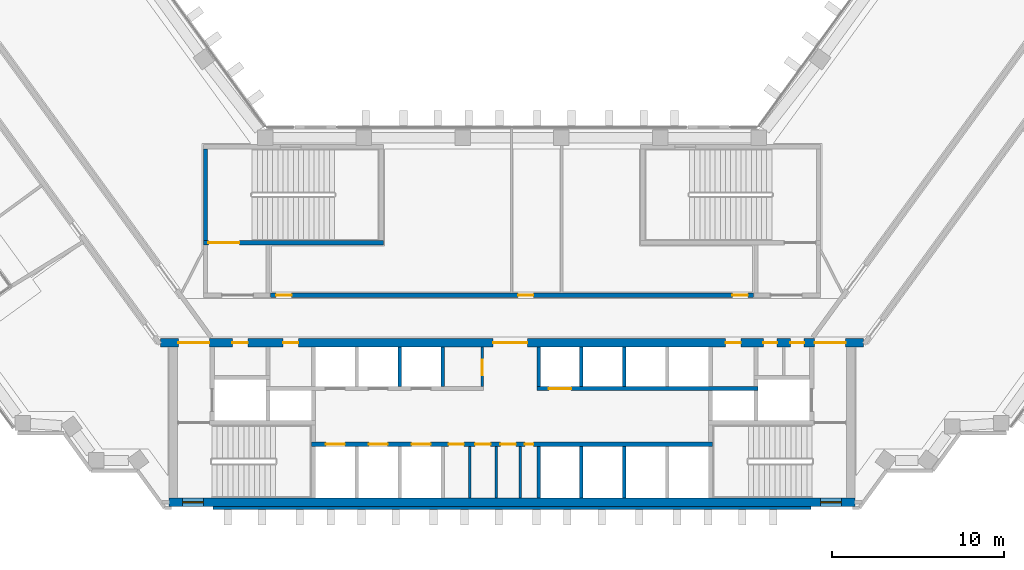
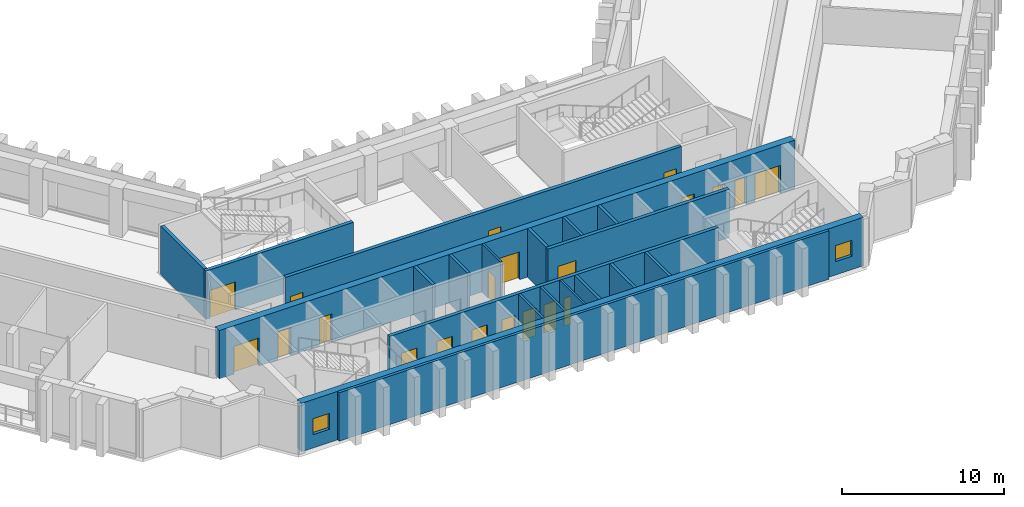
# One storey, part 9 of 16: 21 doors, 20 walls, 2 windows, 23 openings.
"""IFC4 building model written with IfcOpenShell, lengths in metres."""

from ifc_helpers import new_model, si_unit, direction, frame, frame_2d, origin, place, context, subcontext, project, spatial, rectangle, extrude, material, layer, layer_set, type_object, element, fill, save


model = new_model("IFC4")

# Units and contexts
model_context = context("Model", 3, precision=1e-05, world=origin(), true_north=direction((0.0, 1.0)))
body_context = subcontext(model_context, "Body", "Model", "MODEL_VIEW")
ifc_project = project(units=[si_unit("LENGTHUNIT", "METRE"), si_unit("AREAUNIT", "SQUARE_METRE"), si_unit("VOLUMEUNIT", "CUBIC_METRE"), si_unit("PLANEANGLEUNIT", "RADIAN"), si_unit("MASSUNIT", "GRAM", prefix="KILO")], contexts=[model_context])

# Site, building, storey
site_placement = place(None, origin())
site = spatial("IfcSite", under=ifc_project, at=site_placement, CompositionType="ELEMENT")
building_placement = place(site_placement, origin())
building = spatial("IfcBuilding", under=site, at=building_placement, Name="Quipu Civic Tower", CompositionType="ELEMENT")
storey_placement = place(building_placement, frame((0.0, 0.0, 55.0)))
storey = spatial("IfcBuildingStorey", under=building, at=storey_placement, Name="L12", CompositionType="ELEMENT", Elevation=55.0)

# Wall, openings, doors
ifc_material_1 = material(Name="Concrete C70/85", Category="concrete")
ifc_layer_1 = layer(ifc_material_1, 0.25)
ifc_layer_set_1 = layer_set([ifc_layer_1], Name="Concrete C70/85")
wall_type_1 = type_object("IfcWallType", Name="Core wall 250", PredefinedType="SHEAR", material=ifc_layer_set_1)
wall_1_placement = place(storey_placement, frame((11.699951171875, -7.375, 0.0), z_axis=(0.0, 0.0, 1.0), x_axis=(-1.0, 0.0, 0.0)))
wall_1 = element("IfcWall", 1, at=wall_1_placement, inside=storey, type_object=wall_type_1, Name="Core wall", PredefinedType="SHEAR", context=body_context, shape_type="SweptSolid", body=[
    extrude(rectangle(XDim=23.39990234375, YDim=0.25, at=frame_2d((11.699951171875, 0.0))), origin(), (0.0, 0.0, 1.0), 3.64990234375),
])
opening_1_placement = place(wall_1_placement, frame((21.449951171875, 0.0, 0.0)))
opening_1 = element("IfcOpeningElement", 2, at=opening_1_placement, cuts=wall_1, Name="Opening LD-LL1", PredefinedType="OPENING", context=body_context, shape_type="SweptSolid", body=[
    extrude(rectangle(XDim=1.10009765625, YDim=2.10009765625, at=frame_2d((0.550048828125, 1.050048828125))), frame((0.0, 0.135009765625, 0.0), z_axis=(0.0, -1.0, 0.0), x_axis=(1.0, 0.0, 0.0)), (0.0, 0.0, 1.0), 0.27001953125),
])
opening_2_placement = place(wall_1_placement, frame((18.949951171875, 0.0, 0.0)))
opening_2 = element("IfcOpeningElement", 3, at=opening_2_placement, cuts=wall_1, Name="Opening LD-LL2", PredefinedType="OPENING", context=body_context, shape_type="SweptSolid", body=[
    extrude(rectangle(XDim=1.10009765625, YDim=2.10009765625, at=frame_2d((0.550048828125, 1.050048828125))), frame((0.0, 0.135009765625, 0.0), z_axis=(0.0, -1.0, 0.0), x_axis=(1.0, 0.0, 0.0)), (0.0, 0.0, 1.0), 0.27001953125),
])
opening_3_placement = place(wall_1_placement, frame((16.449951171875, 0.0, 0.0)))
opening_3 = element("IfcOpeningElement", 4, at=opening_3_placement, cuts=wall_1, Name="Opening LD-LL3", PredefinedType="OPENING", context=body_context, shape_type="SweptSolid", body=[
    extrude(rectangle(XDim=1.10009765625, YDim=2.10009765625, at=frame_2d((0.550048828125, 1.050048828125))), frame((0.0, 0.135009765625, 0.0), z_axis=(0.0, -1.0, 0.0), x_axis=(1.0, 0.0, 0.0)), (0.0, 0.0, 1.0), 0.27001953125),
])
opening_4_placement = place(wall_1_placement, frame((14.5, 0.0, 0.0)))
opening_4 = element("IfcOpeningElement", 5, at=opening_4_placement, cuts=wall_1, Name="Opening CD-01", PredefinedType="OPENING", context=body_context, shape_type="SweptSolid", body=[
    extrude(rectangle(XDim=0.89990234375, YDim=2.10009765625, at=frame_2d((0.449951171875, 1.050048828125))), frame((0.0, 0.135009765625, 0.0), z_axis=(0.0, -1.0, 0.0), x_axis=(1.0, 0.0, 0.0)), (0.0, 0.0, 1.0), 0.27001953125),
])
opening_5_placement = place(wall_1_placement, frame((12.949951171875, 0.0, 0.0)))
opening_5 = element("IfcOpeningElement", 6, at=opening_5_placement, cuts=wall_1, Name="Opening CD-02", PredefinedType="OPENING", context=body_context, shape_type="SweptSolid", body=[
    extrude(rectangle(XDim=0.89990234375, YDim=2.10009765625, at=frame_2d((0.449951171875, 1.050048828125))), frame((0.0, 0.135009765625, 0.0), z_axis=(0.0, -1.0, 0.0), x_axis=(1.0, 0.0, 0.0)), (0.0, 0.0, 1.0), 0.27001953125),
])
opening_6_placement = place(wall_1_placement, frame((11.47509765625, 0.0, 0.0)))
opening_6 = element("IfcOpeningElement", 7, at=opening_6_placement, cuts=wall_1, Name="Opening CD-03", PredefinedType="OPENING", context=body_context, shape_type="SweptSolid", body=[
    extrude(rectangle(XDim=0.89990234375, YDim=2.10009765625, at=frame_2d((0.449951171875, 1.050048828125))), frame((0.0, 0.135009765625, 0.0), z_axis=(0.0, -1.0, 0.0), x_axis=(1.0, 0.0, 0.0)), (0.0, 0.0, 1.0), 0.27001953125),
])
opening_7_placement = place(wall_1_placement, frame((10.449951171875, 0.0, 0.0)))
opening_7 = element("IfcOpeningElement", 8, at=opening_7_placement, cuts=wall_1, Name="Opening CD-04", PredefinedType="OPENING", context=body_context, shape_type="SweptSolid", body=[
    extrude(rectangle(XDim=0.5, YDim=2.10009765625, at=frame_2d((0.25, 1.050048828125))), frame((0.0, 0.135009765625, 0.0), z_axis=(0.0, -1.0, 0.0), x_axis=(1.0, 0.0, 0.0)), (0.0, 0.0, 1.0), 0.27001953125),
])
ifc_material_2 = material(Name="Fire rated steel door", Category="steel")
door_type_1 = type_object("IfcDoorType", Name="Fire door FD60 500 x 2100", OperationType="NOTDEFINED", PredefinedType="DOOR", material=ifc_material_2)
door_1_placement = place(opening_7_placement, origin())
door_1 = element("IfcDoor", 9, at=door_1_placement, inside=storey, type_object=door_type_1, Name="Door", OperationType="SINGLE_SWING_LEFT", OverallHeight=2.10009765625, OverallWidth=0.5, PredefinedType="DOOR", context=body_context, shape_type="SweptSolid", body=[
    extrude(rectangle(XDim=0.5, YDim=2.10009765625, at=frame_2d((0.25, 1.050048828125))), frame((0.0, 0.02490234375, 0.0), z_axis=(0.0, -1.0, 0.0), x_axis=(1.0, 0.0, 0.0)), (0.0, 0.0, 1.0), 0.050048828125),
])
fill(opening_7, door_1)
ifc_material_3 = material(Name="Fire rated steel door", Category="steel")
door_type_2 = type_object("IfcDoorType", Name="Fire door FD60 900 x 2100", OperationType="NOTDEFINED", PredefinedType="DOOR", material=ifc_material_3)
door_2_placement = place(opening_4_placement, origin())
door_2 = element("IfcDoor", 10, at=door_2_placement, inside=storey, type_object=door_type_2, Name="WC door", OperationType="SINGLE_SWING_RIGHT", OverallHeight=2.10009765625, OverallWidth=0.89990234375, PredefinedType="DOOR", context=body_context, shape_type="SweptSolid", body=[
    extrude(rectangle(XDim=0.89990234375, YDim=2.10009765625, at=frame_2d((0.449951171875, 1.050048828125))), frame((0.0, 0.02490234375, 0.0), z_axis=(0.0, -1.0, 0.0), x_axis=(1.0, 0.0, 0.0)), (0.0, 0.0, 1.0), 0.050048828125),
])
fill(opening_4, door_2)
door_3_placement = place(opening_5_placement, origin())
door_3 = element("IfcDoor", 11, at=door_3_placement, inside=storey, type_object=door_type_2, Name="WC door", OperationType="SINGLE_SWING_RIGHT", OverallHeight=2.10009765625, OverallWidth=0.89990234375, PredefinedType="DOOR", context=body_context, shape_type="SweptSolid", body=[
    extrude(rectangle(XDim=0.89990234375, YDim=2.10009765625, at=frame_2d((0.449951171875, 1.050048828125))), frame((0.0, 0.02490234375, 0.0), z_axis=(0.0, -1.0, 0.0), x_axis=(1.0, 0.0, 0.0)), (0.0, 0.0, 1.0), 0.050048828125),
])
fill(opening_5, door_3)
door_4_placement = place(opening_6_placement, origin())
door_4 = element("IfcDoor", 12, at=door_4_placement, inside=storey, type_object=door_type_2, Name="WC door", OperationType="SINGLE_SWING_RIGHT", OverallHeight=2.10009765625, OverallWidth=0.89990234375, PredefinedType="DOOR", context=body_context, shape_type="SweptSolid", body=[
    extrude(rectangle(XDim=0.89990234375, YDim=2.10009765625, at=frame_2d((0.449951171875, 1.050048828125))), frame((0.0, 0.02490234375, 0.0), z_axis=(0.0, -1.0, 0.0), x_axis=(1.0, 0.0, 0.0)), (0.0, 0.0, 1.0), 0.050048828125),
])
fill(opening_6, door_4)
ifc_material_4 = material(Name="Stainless steel", Category="steel")
door_type_3 = type_object("IfcDoorType", Name="Lift landing door 1100 x 2100", OperationType="DOUBLE_DOOR_SLIDING", PredefinedType="DOOR", material=ifc_material_4)
door_5_placement = place(opening_1_placement, origin())
door_5 = element("IfcDoor", 13, at=door_5_placement, inside=storey, type_object=door_type_3, Name="Landing door LL1", OperationType="DOUBLE_DOOR_SLIDING", OverallHeight=2.10009765625, OverallWidth=1.10009765625, PredefinedType="DOOR", context=body_context, shape_type="SweptSolid", body=[
    extrude(rectangle(XDim=1.10009765625, YDim=2.10009765625, at=frame_2d((0.550048828125, 1.050048828125))), frame((0.0, 0.02490234375, 0.0), z_axis=(0.0, -1.0, 0.0), x_axis=(1.0, 0.0, 0.0)), (0.0, 0.0, 1.0), 0.050048828125),
])
fill(opening_1, door_5)
door_6_placement = place(opening_2_placement, origin())
door_6 = element("IfcDoor", 14, at=door_6_placement, inside=storey, type_object=door_type_3, Name="Landing door LL2", OperationType="DOUBLE_DOOR_SLIDING", OverallHeight=2.10009765625, OverallWidth=1.10009765625, PredefinedType="DOOR", context=body_context, shape_type="SweptSolid", body=[
    extrude(rectangle(XDim=1.10009765625, YDim=2.10009765625, at=frame_2d((0.550048828125, 1.050048828125))), frame((0.0, 0.02490234375, 0.0), z_axis=(0.0, -1.0, 0.0), x_axis=(1.0, 0.0, 0.0)), (0.0, 0.0, 1.0), 0.050048828125),
])
fill(opening_2, door_6)
door_7_placement = place(opening_3_placement, origin())
door_7 = element("IfcDoor", 15, at=door_7_placement, inside=storey, type_object=door_type_3, Name="Landing door LL3", OperationType="DOUBLE_DOOR_SLIDING", OverallHeight=2.10009765625, OverallWidth=1.10009765625, PredefinedType="DOOR", context=body_context, shape_type="SweptSolid", body=[
    extrude(rectangle(XDim=1.10009765625, YDim=2.10009765625, at=frame_2d((0.550048828125, 1.050048828125))), frame((0.0, 0.02490234375, 0.0), z_axis=(0.0, -1.0, 0.0), x_axis=(1.0, 0.0, 0.0)), (0.0, 0.0, 1.0), 0.050048828125),
])
fill(opening_3, door_7)

# Wall, opening, door
wall_2_placement = place(storey_placement, frame((1.449951171875, -4.125, 0.0), z_axis=(0.0, 0.0, 1.0), x_axis=(1.0, 0.0, 0.0)))
wall_2 = element("IfcWall", 16, at=wall_2_placement, inside=storey, type_object=wall_type_1, Name="Core wall", PredefinedType="SHEAR", context=body_context, shape_type="SweptSolid", body=[
    extrude(rectangle(XDim=12.900146484375, YDim=0.25, at=frame_2d((6.4501953125, 0.0))), origin(), (0.0, 0.0, 1.0), 3.64990234375),
])
opening_8_placement = place(wall_2_placement, frame((0.699951171875, 0.0, 0.0)))
opening_8 = element("IfcOpeningElement", 17, at=opening_8_placement, cuts=wall_2, Name="Opening LD-FF3", PredefinedType="OPENING", context=body_context, shape_type="SweptSolid", body=[
    extrude(rectangle(XDim=1.300048828125, YDim=2.10009765625, at=frame_2d((0.64990234375, 1.050048828125))), frame((0.0, 0.135009765625, 0.0), z_axis=(0.0, -1.0, 0.0), x_axis=(1.0, 0.0, 0.0)), (0.0, 0.0, 1.0), 0.27001953125),
])
ifc_material_5 = material(Name="Stainless steel", Category="steel")
door_type_4 = type_object("IfcDoorType", Name="Lift landing door 1300 x 2100", OperationType="DOUBLE_DOOR_SLIDING", PredefinedType="DOOR", material=ifc_material_5)
door_8_placement = place(opening_8_placement, origin())
door_8 = element("IfcDoor", 18, at=door_8_placement, inside=storey, type_object=door_type_4, Name="Landing door FF3", OperationType="DOUBLE_DOOR_SLIDING", OverallHeight=2.10009765625, OverallWidth=1.300048828125, PredefinedType="DOOR", context=body_context, shape_type="SweptSolid", body=[
    extrude(rectangle(XDim=1.300048828125, YDim=2.10009765625, at=frame_2d((0.64990234375, 1.050048828125))), frame((0.0, 0.02490234375, 0.0), z_axis=(0.0, -1.0, 0.0), x_axis=(1.0, 0.0, 0.0)), (0.0, 0.0, 1.0), 0.050048828125),
])
fill(opening_8, door_8)

wall_3_placement = place(storey_placement, frame((-18.0, 4.375, 0.0), z_axis=(0.0, 0.0, 1.0), x_axis=(1.0, 0.0, 0.0)))
wall_3 = element("IfcWall", 19, at=wall_3_placement, inside=storey, type_object=wall_type_1, Name="Core wall", PredefinedType="SHEAR", context=body_context, shape_type="SweptSolid", body=[
    extrude(rectangle(XDim=10.5, YDim=0.25, at=frame_2d((5.25, 0.0))), origin(), (0.0, 0.0, 1.0), 3.64990234375),
])
opening_9_placement = place(wall_3_placement, frame((0.300048828125, 0.0, 0.0)))
opening_9 = element("IfcOpeningElement", 20, at=opening_9_placement, cuts=wall_3, Name="Opening CD-17", PredefinedType="OPENING", context=body_context, shape_type="SweptSolid", body=[
    extrude(rectangle(XDim=1.800048828125, YDim=2.10009765625, at=frame_2d((0.89990234375, 1.050048828125))), frame((0.0, 0.135009765625, 0.0), z_axis=(0.0, -1.0, 0.0), x_axis=(1.0, 0.0, 0.0)), (0.0, 0.0, 1.0), 0.27001953125),
])
ifc_material_6 = material(Name="Fire rated steel door", Category="steel")
door_type_5 = type_object("IfcDoorType", Name="Fire door FD90 double 1800 x 2100", OperationType="NOTDEFINED", PredefinedType="DOOR", material=ifc_material_6)
door_9_placement = place(opening_9_placement, origin())
door_9 = element("IfcDoor", 21, at=door_9_placement, inside=storey, type_object=door_type_5, Name="Door", OperationType="DOUBLE_DOOR_SINGLE_SWING", OverallHeight=2.10009765625, OverallWidth=1.800048828125, PredefinedType="DOOR", context=body_context, shape_type="SweptSolid", body=[
    extrude(rectangle(XDim=1.800048828125, YDim=2.10009765625, at=frame_2d((0.89990234375, 1.050048828125))), frame((0.0, 0.02490234375, 0.0), z_axis=(0.0, -1.0, 0.0), x_axis=(1.0, 0.0, 0.0)), (0.0, 0.0, 1.0), 0.050048828125),
])
fill(opening_9, door_9)

# Wall
wall_4_placement = place(storey_placement, frame((-17.875, 4.5, 0.0), z_axis=(0.0, 0.0, 1.0), x_axis=(0.0, 1.0, 0.0)))
element("IfcWall", 22, at=wall_4_placement, inside=storey, type_object=wall_type_1, Name="Core wall", PredefinedType="SHEAR", context=body_context, shape_type="SweptSolid", body=[
    extrude(rectangle(XDim=5.35009765625, YDim=0.25, at=frame_2d((2.675048828125, 0.0))), origin(), (0.0, 0.0, 1.0), 3.64990234375),
])

# Wall, openings, windows
ifc_material_7 = material(Name="Concrete C70/85", Category="concrete")
ifc_layer_2 = layer(ifc_material_7, 0.5)
ifc_layer_set_2 = layer_set([ifc_layer_2], Name="Concrete C70/85")
wall_type_2 = type_object("IfcWallType", Name="Core wall 500", PredefinedType="SHEAR", material=ifc_layer_set_2)
wall_5_placement = place(storey_placement, frame((-20.0, -10.75, 0.0), z_axis=(0.0, 0.0, 1.0), x_axis=(1.0, 0.0, 0.0)))
wall_5 = element("IfcWall", 23, at=wall_5_placement, inside=storey, type_object=wall_type_2, Name="Core wall", PredefinedType="SHEAR", context=body_context, shape_type="SweptSolid", body=[
    extrude(rectangle(XDim=40.0, YDim=0.5, at=frame_2d((20.0, 0.0))), origin(), (0.0, 0.0, 1.0), 3.64990234375),
])
opening_10_placement = place(wall_5_placement, frame((0.800048828125, 0.0, 1.0)))
opening_10 = element("IfcOpeningElement", 24, at=opening_10_placement, cuts=wall_5, Name="Opening SV-1", PredefinedType="OPENING", context=body_context, shape_type="SweptSolid", body=[
    extrude(rectangle(XDim=1.199951171875, YDim=1.199951171875, at=frame_2d((0.60009765625, 0.60009765625))), frame((0.0, 0.260009765625, 0.0), z_axis=(0.0, -1.0, 0.0), x_axis=(1.0, 0.0, 0.0)), (0.0, 0.0, 1.0), 0.52001953125),
])
opening_11_placement = place(wall_5_placement, frame((38.0, 0.0, 1.0)))
opening_11 = element("IfcOpeningElement", 25, at=opening_11_placement, cuts=wall_5, Name="Opening SV-2", PredefinedType="OPENING", context=body_context, shape_type="SweptSolid", body=[
    extrude(rectangle(XDim=1.199951171875, YDim=1.199951171875, at=frame_2d((0.60009765625, 0.60009765625))), frame((0.0, 0.260009765625, 0.0), z_axis=(0.0, -1.0, 0.0), x_axis=(1.0, 0.0, 0.0)), (0.0, 0.0, 1.0), 0.52001953125),
])
ifc_material_8 = material(Name="Aluminium louvre", Category="aluminium")
window_type = type_object("IfcWindowType", Name="Stair ventilation louvre 1200 x 1200", PartitioningType="SINGLE_PANEL", PredefinedType="WINDOW", material=ifc_material_8)
window_1_placement = place(opening_10_placement, origin())
window_1 = element("IfcWindow", 26, at=window_1_placement, inside=storey, type_object=window_type, Name="Stair ventilation opening", OverallHeight=1.199951171875, OverallWidth=1.199951171875, PartitioningType="SINGLE_PANEL", PredefinedType="WINDOW", context=body_context, shape_type="SweptSolid", body=[
    extrude(rectangle(XDim=1.199951171875, YDim=1.199951171875, at=frame_2d((0.60009765625, 0.60009765625))), frame((0.0, 0.030029296875, 0.0), z_axis=(0.0, -1.0, 0.0), x_axis=(1.0, 0.0, 0.0)), (0.0, 0.0, 1.0), 0.06005859375),
])
fill(opening_10, window_1)
window_2_placement = place(opening_11_placement, origin())
window_2 = element("IfcWindow", 27, at=window_2_placement, inside=storey, type_object=window_type, Name="Stair ventilation opening", OverallHeight=1.199951171875, OverallWidth=1.199951171875, PartitioningType="SINGLE_PANEL", PredefinedType="WINDOW", context=body_context, shape_type="SweptSolid", body=[
    extrude(rectangle(XDim=1.199951171875, YDim=1.199951171875, at=frame_2d((0.60009765625, 0.60009765625))), frame((0.0, 0.030029296875, 0.0), z_axis=(0.0, -1.0, 0.0), x_axis=(1.0, 0.0, 0.0)), (0.0, 0.0, 1.0), 0.06005859375),
])
fill(opening_11, window_2)

# Wall, openings, doors
wall_6_placement = place(storey_placement, frame((20.489990234375, -1.449951171875, 0.0), z_axis=(0.0, 0.0, 1.0), x_axis=(-1.0, 0.0, 0.0)))
wall_6 = element("IfcWall", 28, at=wall_6_placement, inside=storey, type_object=wall_type_2, Name="Core wall", PredefinedType="SHEAR", context=body_context, shape_type="SweptSolid", body=[
    extrude(rectangle(XDim=40.97998046875, YDim=0.5, at=frame_2d((20.489990234375, 0.0))), origin(), (0.0, 0.0, 1.0), 3.64990234375),
])
opening_12_placement = place(wall_6_placement, frame((38.139892578125, 0.0, 0.0)))
opening_12 = element("IfcOpeningElement", 29, at=opening_12_placement, cuts=wall_6, Name="Opening CD-08", PredefinedType="OPENING", context=body_context, shape_type="SweptSolid", body=[
    extrude(rectangle(XDim=1.800048828125, YDim=2.10009765625, at=frame_2d((0.89990234375, 1.050048828125))), frame((0.0, 0.260009765625, 0.0), z_axis=(0.0, -1.0, 0.0), x_axis=(1.0, 0.0, 0.0)), (0.0, 0.0, 1.0), 0.52001953125),
])
opening_13_placement = place(wall_6_placement, frame((35.889892578125, 0.0, 0.0)))
opening_13 = element("IfcOpeningElement", 30, at=opening_13_placement, cuts=wall_6, Name="Opening CD-09", PredefinedType="OPENING", context=body_context, shape_type="SweptSolid", body=[
    extrude(rectangle(XDim=0.89990234375, YDim=2.10009765625, at=frame_2d((0.449951171875, 1.050048828125))), frame((0.0, 0.260009765625, 0.0), z_axis=(0.0, -1.0, 0.0), x_axis=(1.0, 0.0, 0.0)), (0.0, 0.0, 1.0), 0.52001953125),
])
opening_14_placement = place(wall_6_placement, frame((32.93994140625, 0.0, 0.0)))
opening_14 = element("IfcOpeningElement", 31, at=opening_14_placement, cuts=wall_6, Name="Opening CD-10", PredefinedType="OPENING", context=body_context, shape_type="SweptSolid", body=[
    extrude(rectangle(XDim=0.89990234375, YDim=2.10009765625, at=frame_2d((0.449951171875, 1.050048828125))), frame((0.0, 0.260009765625, 0.0), z_axis=(0.0, -1.0, 0.0), x_axis=(1.0, 0.0, 0.0)), (0.0, 0.0, 1.0), 0.52001953125),
])
opening_15_placement = place(wall_6_placement, frame((19.590087890625, 0.0, 0.0)))
opening_15 = element("IfcOpeningElement", 32, at=opening_15_placement, cuts=wall_6, Name="Opening CD-11", PredefinedType="OPENING", context=body_context, shape_type="SweptSolid", body=[
    extrude(rectangle(XDim=2.0, YDim=2.10009765625, at=frame_2d((1.0, 1.050048828125))), frame((0.0, 0.260009765625, 0.0), z_axis=(0.0, -1.0, 0.0), x_axis=(1.0, 0.0, 0.0)), (0.0, 0.0, 1.0), 0.52001953125),
])
opening_16_placement = place(wall_6_placement, frame((7.139892578125, 0.0, 0.0)))
opening_16 = element("IfcOpeningElement", 33, at=opening_16_placement, cuts=wall_6, Name="Opening CD-12", PredefinedType="OPENING", context=body_context, shape_type="SweptSolid", body=[
    extrude(rectangle(XDim=0.89990234375, YDim=2.10009765625, at=frame_2d((0.449951171875, 1.050048828125))), frame((0.0, 0.260009765625, 0.0), z_axis=(0.0, -1.0, 0.0), x_axis=(1.0, 0.0, 0.0)), (0.0, 0.0, 1.0), 0.52001953125),
])
opening_17_placement = place(wall_6_placement, frame((5.027587890625, 0.0, 0.0)))
opening_17 = element("IfcOpeningElement", 34, at=opening_17_placement, cuts=wall_6, Name="Opening CD-13", PredefinedType="OPENING", context=body_context, shape_type="SweptSolid", body=[
    extrude(rectangle(XDim=0.800048828125, YDim=2.10009765625, at=frame_2d((0.39990234375, 1.050048828125))), frame((0.0, 0.260009765625, 0.0), z_axis=(0.0, -1.0, 0.0), x_axis=(1.0, 0.0, 0.0)), (0.0, 0.0, 1.0), 0.52001953125),
])
opening_18_placement = place(wall_6_placement, frame((3.452392578125, 0.0, 0.0)))
opening_18 = element("IfcOpeningElement", 35, at=opening_18_placement, cuts=wall_6, Name="Opening CD-14", PredefinedType="OPENING", context=body_context, shape_type="SweptSolid", body=[
    extrude(rectangle(XDim=0.800048828125, YDim=2.10009765625, at=frame_2d((0.39990234375, 1.050048828125))), frame((0.0, 0.260009765625, 0.0), z_axis=(0.0, -1.0, 0.0), x_axis=(1.0, 0.0, 0.0)), (0.0, 0.0, 1.0), 0.52001953125),
])
opening_19_placement = place(wall_6_placement, frame((1.0400390625, 0.0, 0.0)))
opening_19 = element("IfcOpeningElement", 36, at=opening_19_placement, cuts=wall_6, Name="Opening CD-15", PredefinedType="OPENING", context=body_context, shape_type="SweptSolid", body=[
    extrude(rectangle(XDim=1.800048828125, YDim=2.10009765625, at=frame_2d((0.89990234375, 1.050048828125))), frame((0.0, 0.260009765625, 0.0), z_axis=(0.0, -1.0, 0.0), x_axis=(1.0, 0.0, 0.0)), (0.0, 0.0, 1.0), 0.52001953125),
])
ifc_material_9 = material(Name="Fire rated steel door", Category="steel")
door_type_6 = type_object("IfcDoorType", Name="Fire door FD60 800 x 2100", OperationType="NOTDEFINED", PredefinedType="DOOR", material=ifc_material_9)
door_10_placement = place(opening_17_placement, origin())
door_10 = element("IfcDoor", 37, at=door_10_placement, inside=storey, type_object=door_type_6, Name="Door", OperationType="SINGLE_SWING_LEFT", OverallHeight=2.10009765625, OverallWidth=0.800048828125, PredefinedType="DOOR", context=body_context, shape_type="SweptSolid", body=[
    extrude(rectangle(XDim=0.800048828125, YDim=2.10009765625, at=frame_2d((0.39990234375, 1.050048828125))), frame((0.0, 0.02490234375, 0.0), z_axis=(0.0, -1.0, 0.0), x_axis=(1.0, 0.0, 0.0)), (0.0, 0.0, 1.0), 0.050048828125),
])
fill(opening_17, door_10)
door_11_placement = place(opening_18_placement, origin())
door_11 = element("IfcDoor", 38, at=door_11_placement, inside=storey, type_object=door_type_6, Name="Door", OperationType="SINGLE_SWING_LEFT", OverallHeight=2.10009765625, OverallWidth=0.800048828125, PredefinedType="DOOR", context=body_context, shape_type="SweptSolid", body=[
    extrude(rectangle(XDim=0.800048828125, YDim=2.10009765625, at=frame_2d((0.39990234375, 1.050048828125))), frame((0.0, 0.02490234375, 0.0), z_axis=(0.0, -1.0, 0.0), x_axis=(1.0, 0.0, 0.0)), (0.0, 0.0, 1.0), 0.050048828125),
])
fill(opening_18, door_11)
door_12_placement = place(opening_13_placement, origin())
door_12 = element("IfcDoor", 39, at=door_12_placement, inside=storey, type_object=door_type_2, Name="Door", OperationType="SINGLE_SWING_RIGHT", OverallHeight=2.10009765625, OverallWidth=0.89990234375, PredefinedType="DOOR", context=body_context, shape_type="SweptSolid", body=[
    extrude(rectangle(XDim=0.89990234375, YDim=2.10009765625, at=frame_2d((0.449951171875, 1.050048828125))), frame((0.0, 0.02490234375, 0.0), z_axis=(0.0, -1.0, 0.0), x_axis=(1.0, 0.0, 0.0)), (0.0, 0.0, 1.0), 0.050048828125),
])
fill(opening_13, door_12)
door_13_placement = place(opening_14_placement, origin())
door_13 = element("IfcDoor", 40, at=door_13_placement, inside=storey, type_object=door_type_2, Name="Riser door", OperationType="SINGLE_SWING_RIGHT", OverallHeight=2.10009765625, OverallWidth=0.89990234375, PredefinedType="DOOR", context=body_context, shape_type="SweptSolid", body=[
    extrude(rectangle(XDim=0.89990234375, YDim=2.10009765625, at=frame_2d((0.449951171875, 1.050048828125))), frame((0.0, 0.02490234375, 0.0), z_axis=(0.0, -1.0, 0.0), x_axis=(1.0, 0.0, 0.0)), (0.0, 0.0, 1.0), 0.050048828125),
])
fill(opening_14, door_13)
door_14_placement = place(opening_16_placement, origin())
door_14 = element("IfcDoor", 41, at=door_14_placement, inside=storey, type_object=door_type_2, Name="Riser door", OperationType="SINGLE_SWING_LEFT", OverallHeight=2.10009765625, OverallWidth=0.89990234375, PredefinedType="DOOR", context=body_context, shape_type="SweptSolid", body=[
    extrude(rectangle(XDim=0.89990234375, YDim=2.10009765625, at=frame_2d((0.449951171875, 1.050048828125))), frame((0.0, 0.02490234375, 0.0), z_axis=(0.0, -1.0, 0.0), x_axis=(1.0, 0.0, 0.0)), (0.0, 0.0, 1.0), 0.050048828125),
])
fill(opening_16, door_14)
door_15_placement = place(opening_12_placement, origin())
door_15 = element("IfcDoor", 42, at=door_15_placement, inside=storey, type_object=door_type_5, Name="Lobby door", OperationType="DOUBLE_DOOR_SINGLE_SWING", OverallHeight=2.10009765625, OverallWidth=1.800048828125, PredefinedType="DOOR", context=body_context, shape_type="SweptSolid", body=[
    extrude(rectangle(XDim=1.800048828125, YDim=2.10009765625, at=frame_2d((0.89990234375, 1.050048828125))), frame((0.0, 0.02490234375, 0.0), z_axis=(0.0, -1.0, 0.0), x_axis=(1.0, 0.0, 0.0)), (0.0, 0.0, 1.0), 0.050048828125),
])
fill(opening_12, door_15)
door_16_placement = place(opening_19_placement, origin())
door_16 = element("IfcDoor", 43, at=door_16_placement, inside=storey, type_object=door_type_5, Name="Lobby door", OperationType="DOUBLE_DOOR_SINGLE_SWING", OverallHeight=2.10009765625, OverallWidth=1.800048828125, PredefinedType="DOOR", context=body_context, shape_type="SweptSolid", body=[
    extrude(rectangle(XDim=1.800048828125, YDim=2.10009765625, at=frame_2d((0.89990234375, 1.050048828125))), frame((0.0, 0.02490234375, 0.0), z_axis=(0.0, -1.0, 0.0), x_axis=(1.0, 0.0, 0.0)), (0.0, 0.0, 1.0), 0.050048828125),
])
fill(opening_19, door_16)
ifc_material_10 = material(Name="Fire rated steel door", Category="steel")
door_type_7 = type_object("IfcDoorType", Name="Fire door FD90 double 2000 x 2100", OperationType="NOTDEFINED", PredefinedType="DOOR", material=ifc_material_10)
door_17_placement = place(opening_15_placement, origin())
door_17 = element("IfcDoor", 44, at=door_17_placement, inside=storey, type_object=door_type_7, Name="Lobby door", OperationType="DOUBLE_DOOR_SINGLE_SWING", OverallHeight=2.10009765625, OverallWidth=2.0, PredefinedType="DOOR", context=body_context, shape_type="SweptSolid", body=[
    extrude(rectangle(XDim=2.0, YDim=2.10009765625, at=frame_2d((1.0, 1.050048828125))), frame((0.0, 0.02490234375, 0.0), z_axis=(0.0, -1.0, 0.0), x_axis=(1.0, 0.0, 0.0)), (0.0, 0.0, 1.0), 0.050048828125),
])
fill(opening_15, door_17)

ifc_material_11 = material(Name="Concrete C50/60", Category="concrete")
ifc_layer_3 = layer(ifc_material_11, 0.25)
ifc_layer_set_3 = layer_set([ifc_layer_3], Name="Concrete C50/60")
wall_type_3 = type_object("IfcWallType", Name="Corridor wall 250 concrete", PredefinedType="SOLIDWALL", material=ifc_layer_set_3)
wall_7_placement = place(storey_placement, frame((-14.090087890625, 1.324951171875, 0.0), z_axis=(0.0, 0.0, 1.0), x_axis=(1.0, 0.0, 0.0)))
wall_7 = element("IfcWall", 45, at=wall_7_placement, inside=storey, type_object=wall_type_3, Name="Corridor wall C05", PredefinedType="SOLIDWALL", context=body_context, shape_type="SweptSolid", body=[
    extrude(rectangle(XDim=28.18017578125, YDim=0.25, at=frame_2d((14.090087890625, 0.0))), origin(), (0.0, 0.0, 1.0), 3.64990234375),
])
opening_20_placement = place(wall_7_placement, frame((26.93994140625, 0.0, 0.0)))
opening_20 = element("IfcOpeningElement", 46, at=opening_20_placement, cuts=wall_7, Name="Opening D010", PredefinedType="OPENING", context=body_context, shape_type="SweptSolid", body=[
    extrude(rectangle(XDim=0.89990234375, YDim=2.10009765625, at=frame_2d((0.449951171875, 1.050048828125))), frame((0.0, 0.135009765625, 0.0), z_axis=(0.0, -1.0, 0.0), x_axis=(1.0, 0.0, 0.0)), (0.0, 0.0, 1.0), 0.27001953125),
])
opening_21_placement = place(wall_7_placement, frame((0.340087890625, 0.0, 0.0)))
opening_21 = element("IfcOpeningElement", 47, at=opening_21_placement, cuts=wall_7, Name="Opening D008", PredefinedType="OPENING", context=body_context, shape_type="SweptSolid", body=[
    extrude(rectangle(XDim=0.89990234375, YDim=2.10009765625, at=frame_2d((0.449951171875, 1.050048828125))), frame((0.0, 0.135009765625, 0.0), z_axis=(0.0, -1.0, 0.0), x_axis=(1.0, 0.0, 0.0)), (0.0, 0.0, 1.0), 0.27001953125),
])
opening_22_placement = place(wall_7_placement, frame((14.43994140625, 0.0, 0.0)))
opening_22 = element("IfcOpeningElement", 48, at=opening_22_placement, cuts=wall_7, Name="Opening D009", PredefinedType="OPENING", context=body_context, shape_type="SweptSolid", body=[
    extrude(rectangle(XDim=0.89990234375, YDim=2.10009765625, at=frame_2d((0.449951171875, 1.050048828125))), frame((0.0, 0.135009765625, 0.0), z_axis=(0.0, -1.0, 0.0), x_axis=(1.0, 0.0, 0.0)), (0.0, 0.0, 1.0), 0.27001953125),
])
ifc_material_12 = material(Name="Fire rated timber door set with metal frame", Category="wood")
door_type_8 = type_object("IfcDoorType", Name="Single door 900 x 2100 FD60", OperationType="NOTDEFINED", PredefinedType="DOOR", material=ifc_material_12)
door_18_placement = place(opening_20_placement, origin())
door_18 = element("IfcDoor", 49, at=door_18_placement, inside=storey, type_object=door_type_8, Name="Door D010", OperationType="SINGLE_SWING_RIGHT", OverallHeight=2.10009765625, OverallWidth=0.89990234375, PredefinedType="DOOR", context=body_context, shape_type="SweptSolid", body=[
    extrude(rectangle(XDim=0.89990234375, YDim=2.10009765625, at=frame_2d((0.449951171875, 1.050048828125))), frame((0.0, 0.02490234375, 0.0), z_axis=(0.0, -1.0, 0.0), x_axis=(1.0, 0.0, 0.0)), (0.0, 0.0, 1.0), 0.050048828125),
])
fill(opening_20, door_18)
door_19_placement = place(opening_21_placement, origin())
door_19 = element("IfcDoor", 50, at=door_19_placement, inside=storey, type_object=door_type_8, Name="Door D008", OperationType="SINGLE_SWING_LEFT", OverallHeight=2.10009765625, OverallWidth=0.89990234375, PredefinedType="DOOR", context=body_context, shape_type="SweptSolid", body=[
    extrude(rectangle(XDim=0.89990234375, YDim=2.10009765625, at=frame_2d((0.449951171875, 1.050048828125))), frame((0.0, 0.02490234375, 0.0), z_axis=(0.0, -1.0, 0.0), x_axis=(1.0, 0.0, 0.0)), (0.0, 0.0, 1.0), 0.050048828125),
])
fill(opening_21, door_19)
door_20_placement = place(opening_22_placement, origin())
door_20 = element("IfcDoor", 51, at=door_20_placement, inside=storey, type_object=door_type_8, Name="Door D009", OperationType="SINGLE_SWING_LEFT", OverallHeight=2.10009765625, OverallWidth=0.89990234375, PredefinedType="DOOR", context=body_context, shape_type="SweptSolid", body=[
    extrude(rectangle(XDim=0.89990234375, YDim=2.10009765625, at=frame_2d((0.449951171875, 1.050048828125))), frame((0.0, 0.02490234375, 0.0), z_axis=(0.0, -1.0, 0.0), x_axis=(1.0, 0.0, 0.0)), (0.0, 0.0, 1.0), 0.050048828125),
])
fill(opening_22, door_20)

# Walls
ifc_material_13 = material(Name="Gypsum board partition")
ifc_layer_4 = layer(ifc_material_13, 0.14990234375)
ifc_layer_set_4 = layer_set([ifc_layer_4], Name="Gypsum board partition")
wall_type_4 = type_object("IfcWallType", Name="Partition 150", PredefinedType="PARTITIONING", material=ifc_layer_set_4)
for number, where, z_axis, x_axis, name in (
    (52, (-2.47509765625, -10.5, 0.0), (0.0, 0.0, 1.0), (0.0, 1.0, 0.0), "Partition"),
    (53, (-0.925048828125, -10.5, 0.0), (0.0, 0.0, 1.0), (0.0, 1.0, 0.0), "Partition"),
    (54, (0.47509765625, -10.5, 0.0), (0.0, 0.0, 1.0), (0.0, 1.0, 0.0), "Partition"),
):
    element("IfcWall", number, at=place(storey_placement, frame(where, z_axis=z_axis, x_axis=x_axis)), inside=storey, type_object=wall_type_4, Name=name, PredefinedType="PARTITIONING", context=body_context, shape_type="SweptSolid", body=[
        extrude(rectangle(XDim=3.0, YDim=0.14990234375, at=frame_2d((1.5, 0.0))), origin(), (0.0, 0.0, 1.0), 3.64990234375),
    ])

# Wall, opening, door
wall_8_placement = place(storey_placement, frame((-1.72509765625, -1.699951171875, 0.0), z_axis=(0.0, 0.0, 1.0), x_axis=(0.0, -1.0, 0.0)))
wall_8 = element("IfcWall", 55, at=wall_8_placement, inside=storey, type_object=wall_type_4, Name="Partition", PredefinedType="PARTITIONING", context=body_context, shape_type="SweptSolid", body=[
    extrude(rectangle(XDim=2.300048828125, YDim=0.14990234375, at=frame_2d((1.14990234375, 0.0))), origin(), (0.0, 0.0, 1.0), 3.64990234375),
])
opening_23_placement = place(wall_8_placement, frame((0.75, 0.0, 0.0)))
opening_23 = element("IfcOpeningElement", 56, at=opening_23_placement, cuts=wall_8, Name="Opening CD-07", PredefinedType="OPENING", context=body_context, shape_type="SweptSolid", body=[
    extrude(rectangle(XDim=0.89990234375, YDim=2.10009765625, at=frame_2d((0.449951171875, 1.050048828125))), frame((0.0, 0.0849609375, 0.0), z_axis=(0.0, -1.0, 0.0), x_axis=(1.0, 0.0, 0.0)), (0.0, 0.0, 1.0), 0.169921875),
])
door_21_placement = place(opening_23_placement, origin())
door_21 = element("IfcDoor", 57, at=door_21_placement, inside=storey, type_object=door_type_2, Name="WC door", OperationType="SINGLE_SWING_RIGHT", OverallHeight=2.10009765625, OverallWidth=0.89990234375, PredefinedType="DOOR", context=body_context, shape_type="SweptSolid", body=[
    extrude(rectangle(XDim=0.89990234375, YDim=2.10009765625, at=frame_2d((0.449951171875, 1.050048828125))), frame((0.0, 0.02490234375, 0.0), z_axis=(0.0, -1.0, 0.0), x_axis=(1.0, 0.0, 0.0)), (0.0, 0.0, 1.0), 0.050048828125),
])
fill(opening_23, door_21)

# Walls
ifc_material_14 = material(Name="Precast concrete C40/50", Category="concrete")
wall_type_5 = type_object("IfcWallType", Name="Precast cladding wall", PredefinedType="SOLIDWALL", material=ifc_material_14)
wall_9_placement = place(storey_placement, frame((-17.44384765625, -11.087890625, 0.0), z_axis=(0.0, 0.0, 1.0), x_axis=(1.0, 0.0, 0.0)))
element("IfcWall", 58, at=wall_9_placement, inside=storey, type_object=wall_type_5, Name="Precast cladding wall L12 20", PredefinedType="SOLIDWALL", context=body_context, shape_type="SweptSolid", body=[
    extrude(rectangle(XDim=34.8876953125, YDim=0.199951171875, at=frame_2d((17.44384765625, 0.0))), origin(), (0.0, 0.0, 1.0), 3.64990234375),
])
ifc_material_15 = material(Name="Concrete C40/50", Category="concrete")
ifc_layer_5 = layer(ifc_material_15, 0.199951171875)
ifc_layer_set_5 = layer_set([ifc_layer_5], Name="Concrete C40/50")
wall_type_6 = type_object("IfcWallType", Name="Shaft wall 200", PredefinedType="SOLIDWALL", material=ifc_layer_set_5)
for number, where, z_axis, x_axis, name in (
    (59, (1.550048828125, -10.5, 0.0), (0.0, 0.0, 1.0), (0.0, 1.0, 0.0), "Shaft wall"),
    (60, (4.050048828125, -10.5, 0.0), (0.0, 0.0, 1.0), (0.0, 1.0, 0.0), "Shaft wall"),
    (61, (6.550048828125, -10.5, 0.0), (0.0, 0.0, 1.0), (0.0, 1.0, 0.0), "Shaft wall"),
):
    element("IfcWall", number, at=place(storey_placement, frame(where, z_axis=z_axis, x_axis=x_axis)), inside=storey, type_object=wall_type_6, Name=name, PredefinedType="SOLIDWALL", context=body_context, shape_type="SweptSolid", body=[
        extrude(rectangle(XDim=3.0, YDim=0.199951171875, at=frame_2d((1.5, 0.0))), origin(), (0.0, 0.0, 1.0), 3.64990234375),
    ])
for number, where, z_axis, x_axis, name in (
    (62, (-6.550048828125, -4.0, 0.0), (0.0, 0.0, 1.0), (0.0, 1.0, 0.0), "Shaft wall"),
    (63, (-4.050048828125, -4.0, 0.0), (0.0, 0.0, 1.0), (0.0, 1.0, 0.0), "Shaft wall"),
    (64, (1.550048828125, -4.0, 0.0), (0.0, 0.0, 1.0), (0.0, 1.0, 0.0), "Shaft wall"),
    (65, (4.050048828125, -4.0, 0.0), (0.0, 0.0, 1.0), (0.0, 1.0, 0.0), "Shaft wall"),
    (66, (6.550048828125, -4.0, 0.0), (0.0, 0.0, 1.0), (0.0, 1.0, 0.0), "Shaft wall"),
):
    element("IfcWall", number, at=place(storey_placement, frame(where, z_axis=z_axis, x_axis=x_axis)), inside=storey, type_object=wall_type_6, Name=name, PredefinedType="SOLIDWALL", context=body_context, shape_type="SweptSolid", body=[
        extrude(rectangle(XDim=2.300048828125, YDim=0.199951171875, at=frame_2d((1.14990234375, 0.0))), origin(), (0.0, 0.0, 1.0), 3.64990234375),
    ])

save(model, "model.ifc")
